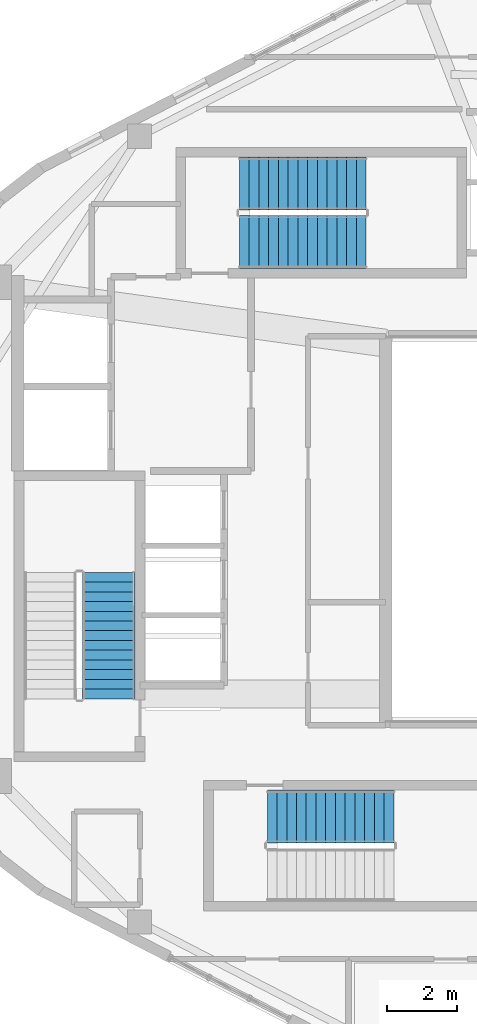
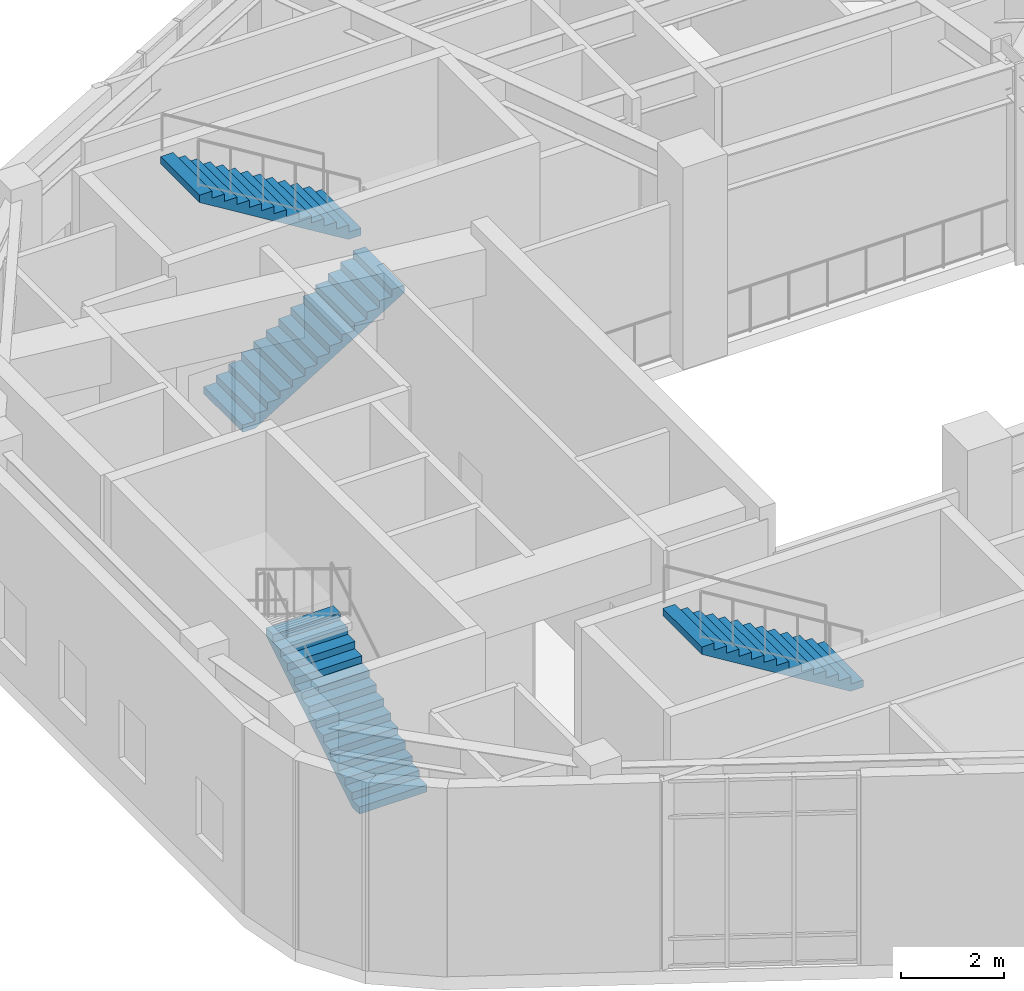
# One storey, part 17 of 18: 4 stair flights, 3 elements without a shape of their own.
"""IFC4 building model written with IfcOpenShell, lengths in metres."""

import ifcopenshell
import ifcopenshell.guid

model = None  # the IFC model being written
_history = None  # IfcOwnerHistory: only IFC2X3 demands one
_inside = {}  # id of a spatial element -> (the spatial element, [elements in it])
_under = {}  # id of a project, library or spatial element -> (it, [spatial elements below it])
_declared = {}  # id of a project -> (the project, [libraries it declares])
_typed = {}  # id of a type object -> (the type object, [elements of that type])
_made_of = {}  # id of a material, layer set ... -> (it, [elements and type objects made of it])


def new_model(schema):
    """Start an empty IFC model of exactly this schema.

    Asked for "IFC4X3", IfcOpenShell would pick the latest addendum, in which some entities
    have other attributes; the version numbers below select the first issue.
    IFC2X3 requires an IfcOwnerHistory on every rooted entity: one is made here for all.
    """
    global model, _history
    if schema == "IFC4X3":
        model = ifcopenshell.file(schema_version=(4, 3, 0, 0))
    else:
        model = ifcopenshell.file(schema=schema)
    _inside.clear()
    _under.clear()
    _declared.clear()
    _typed.clear()
    _made_of.clear()
    _history = None
    if model.schema == "IFC2X3":
        org = make("IfcOrganization", Name="unknown")
        user = make(
            "IfcPersonAndOrganization",
            ThePerson=make("IfcPerson", FamilyName="unknown"),
            TheOrganization=org,
        )
        app = make(
            "IfcApplication",
            ApplicationDeveloper=org,
            Version="unknown",
            ApplicationFullName="unknown",
            ApplicationIdentifier="unknown",
        )
        _history = make(
            "IfcOwnerHistory",
            OwningUser=user,
            OwningApplication=app,
            ChangeAction="ADDED",
            CreationDate=0,
        )
    return model


def make(cls, **values):
    """One entity of the class cls with the attributes given. An attribute that is None is left unset."""
    return model.create_entity(
        cls, **{name: value for name, value in values.items() if value is not None}
    )


def rooted(cls, **values):
    """An entity with a GlobalId (a new one), such as an element, a storey or a relation."""
    return make(cls, GlobalId=ifcopenshell.guid.new(), OwnerHistory=_history, **values)


def si_unit(unit_type, name, prefix=None):
    """IfcSIUnit, for example si_unit("LENGTHUNIT", "METRE", prefix="MILLI")."""
    return make("IfcSIUnit", UnitType=unit_type, Prefix=prefix, Name=name)


def assignment(units):
    """IfcUnitAssignment: the units of a project."""
    return None if units is None else make("IfcUnitAssignment", Units=units)


def point(xyz):
    """IfcCartesianPoint."""
    return None if xyz is None else make("IfcCartesianPoint", Coordinates=xyz)


def direction(xyz):
    """IfcDirection."""
    return None if xyz is None else make("IfcDirection", DirectionRatios=xyz)


def frame(location, z_axis=None, x_axis=None):
    """IfcAxis2Placement3D, a coordinate frame: its origin and axes. An axis left out is left unset."""
    return make(
        "IfcAxis2Placement3D",
        Location=point(location),
        Axis=direction(z_axis),
        RefDirection=direction(x_axis),
    )


def origin():
    """The frame at (0, 0, 0) with its axes left unset."""
    return frame((0.0, 0.0, 0.0))


def place(relative_to, where):
    """IfcLocalPlacement: puts the frame where relative to a parent placement (None: the world)."""
    return make(
        "IfcLocalPlacement", PlacementRelTo=relative_to, RelativePlacement=where
    )


def context(
    kind, dimensions, precision=None, world=None, true_north=None, identifier=None
):
    """IfcGeometricRepresentationContext, for example the 3D "Model" context."""
    return make(
        "IfcGeometricRepresentationContext",
        ContextIdentifier=identifier,
        ContextType=kind,
        CoordinateSpaceDimension=dimensions,
        Precision=precision,
        WorldCoordinateSystem=world,
        TrueNorth=true_north,
    )


def subcontext(parent, identifier, kind, view, scale=None):
    """IfcGeometricRepresentationSubContext, for example "Body" below "Model"."""
    return make(
        "IfcGeometricRepresentationSubContext",
        ContextIdentifier=identifier,
        ContextType=kind,
        ParentContext=parent,
        TargetScale=scale,
        TargetView=view,
    )


def project(units=None, contexts=None):
    """IfcProject with its units and contexts."""
    return rooted(
        "IfcProject",
        Name="project",
        RepresentationContexts=contexts,
        UnitsInContext=assignment(units),
    )


def spatial(cls, under=None, at=None, **own):
    """A site, building, storey or space (cls), placed at a placement, below another one or the project."""
    s = rooted(cls, ObjectPlacement=at, **own)
    if under is not None:
        _under.setdefault(under.id(), (under, []))[1].append(s)
    return s


def polyline(points):
    """IfcPolyline through the points."""
    return make("IfcPolyline", Points=[point(p) for p in points])


def outline(outer, holes=None, kind="AREA"):
    """IfcArbitraryClosedProfileDef: a profile drawn as a closed curve; with holes, ...WithVoids."""
    if holes is None:
        return make("IfcArbitraryClosedProfileDef", ProfileType=kind, OuterCurve=outer)
    return make(
        "IfcArbitraryProfileDefWithVoids",
        ProfileType=kind,
        OuterCurve=outer,
        InnerCurves=holes,
    )


def extrude(swept, where, along, depth):
    """IfcExtrudedAreaSolid: the profile swept, set in the frame where, extruded along a direction by depth."""
    return make(
        "IfcExtrudedAreaSolid",
        SweptArea=swept,
        Position=where,
        ExtrudedDirection=direction(along),
        Depth=depth,
    )


def shape(context_of_items, identifier, shape_type, items):
    """IfcShapeRepresentation: the items that make up one representation, for example the "Body"."""
    return make(
        "IfcShapeRepresentation",
        ContextOfItems=context_of_items,
        RepresentationIdentifier=identifier,
        RepresentationType=shape_type,
        Items=items,
    )


def material(Name=None, Category=None):
    """IfcMaterial."""
    return make("IfcMaterial", Name=Name, Category=Category)


def made_of(thing, what):
    """Note that an element or type object is made of a material, layer set ...; save() writes the relation."""
    if what is not None:
        _made_of.setdefault(what.id(), (what, []))[1].append(thing)
    return thing


def type_object(cls, material=None, **own):
    """A type object (cls), such as IfcWallType, which elements share."""
    return made_of(rooted(cls, **own), material)


def element(
    cls,
    number,
    at=None,
    inside=None,
    cuts=None,
    type_object=None,
    material=None,
    context=None,
    identifier="Body",
    shape_type=None,
    held_by="IfcProductDefinitionShape",
    body=None,
    shapes=None,
    **own,
):
    """One element of the class cls, such as IfcWall. Its Tag is "e" and its number.

    at: its placement. inside: the storey or other place that contains it. cuts: it is an
    opening in that element (IfcRelVoidsElement). A single representation is given by context,
    identifier, shape_type and body (its items); several are given by shapes. held_by: the class
    of the entity that holds the representations. save() writes the other relations.
    """
    e = rooted(cls, Tag="e%d" % number, ObjectPlacement=at, **own)
    if body is not None:
        shapes = [shape(context, identifier, shape_type, body)]
    if shapes is not None:
        e.Representation = make(held_by, Representations=shapes)
    if inside is not None:
        _inside.setdefault(inside.id(), (inside, []))[1].append(e)
    if cuts is not None:
        rooted(
            "IfcRelVoidsElement", RelatingBuildingElement=cuts, RelatedOpeningElement=e
        )
    if type_object is not None:
        _typed.setdefault(type_object.id(), (type_object, []))[1].append(e)
    return made_of(e, material)


def aggregate(whole, parts):
    """IfcRelAggregates: a whole, such as a stair, and the parts it consists of."""
    return rooted("IfcRelAggregates", RelatingObject=whole, RelatedObjects=parts)


def save(model, path):
    """Write the relations noted so far, then the file.

    IfcRelAggregates (storeys below a building ...), IfcRelContainedInSpatialStructure (elements
    in a storey), IfcRelDefinesByType, IfcRelAssociatesMaterial and IfcRelDeclares: one each for
    every whole, place, type object, material and project.
    """
    for whole, parts in _under.values():
        aggregate(whole, parts)
    for where, things in _inside.values():
        rooted(
            "IfcRelContainedInSpatialStructure",
            RelatedElements=things,
            RelatingStructure=where,
        )
    for kind, things in _typed.values():
        rooted("IfcRelDefinesByType", RelatedObjects=things, RelatingType=kind)
    for what, things in _made_of.values():
        rooted("IfcRelAssociatesMaterial", RelatedObjects=things, RelatingMaterial=what)
    for by, libraries in _declared.values():
        rooted("IfcRelDeclares", RelatingContext=by, RelatedDefinitions=libraries)
    model.write(path)


model = new_model("IFC4")

# Units and contexts
model_context = context("Model", 3, precision=1e-05, world=origin(), true_north=direction((0.0, 1.0)))
body_context = subcontext(model_context, "Body", "Model", "MODEL_VIEW")
ifc_project = project(units=[si_unit("LENGTHUNIT", "METRE"), si_unit("AREAUNIT", "SQUARE_METRE"), si_unit("VOLUMEUNIT", "CUBIC_METRE"), si_unit("PLANEANGLEUNIT", "RADIAN"), si_unit("MASSUNIT", "GRAM", prefix="KILO"), si_unit("THERMODYNAMICTEMPERATUREUNIT", "KELVIN"), si_unit("POWERUNIT", "WATT")], contexts=[model_context])

# Site, building, storey
site_placement = place(None, origin())
site = spatial("IfcSite", under=ifc_project, at=site_placement, CompositionType="ELEMENT")
building_placement = place(site_placement, origin())
building = spatial("IfcBuilding", under=site, at=building_placement, Name="Skarre Station Tower", CompositionType="ELEMENT")
storey_placement = place(building_placement, frame((0.0, 0.0, 270.300048828125)))
storey = spatial("IfcBuildingStorey", under=building, at=storey_placement, Name="L74", CompositionType="ELEMENT", Elevation=270.300048828125)

# Stair, stair flight
ifc_material = material(Name="Concrete C40/50", Category="concrete")
stair_type_1 = type_object("IfcStairType", Name="Reinforced Concrete Exit Stair ST-1", PredefinedType="HALF_TURN_STAIR", material=ifc_material)
stair_1_placement = place(storey_placement, origin())
stair_1 = element("IfcStair", 1, at=stair_1_placement, inside=storey, type_object=stair_type_1, Name="L74 Core Exit Stair ST-1", PredefinedType="HALF_TURN_STAIR")
stair_flight_type_1 = type_object("IfcStairFlightType", Name="Reinforced Concrete Stair Flight ST-1", PredefinedType="STRAIGHT", material=ifc_material)
stair_flight_1_placement = place(storey_placement, frame((19.590087890625, 19.1201171875, 0.0), z_axis=(0.0, 0.0, 1.0), x_axis=(0.0, 1.0, 0.0)))
stair_flight_1 = element("IfcStairFlight", 2, at=stair_flight_1_placement, type_object=stair_flight_type_1, Name="ST-1 flight 1", NumberOfRisers=14, NumberOfTreads=13, PredefinedType="STRAIGHT", RiserHeight=0.171428571, TreadLength=0.28, context=body_context, shape_type="SweptSolid", body=[
    extrude(outline(polyline([(0.0, 0.0), (0.0, 0.17138671875), (0.280029296875, 0.17138671875), (0.280029296875, 0.3427734375), (0.56005859375, 0.3427734375), (0.56005859375, 0.514404296875), (0.840087890625, 0.514404296875), (0.840087890625, 0.685791015625), (1.1201171875, 0.685791015625), (1.1201171875, 0.857177734375), (1.39990234375, 0.857177734375), (1.39990234375, 1.028564453125), (1.679931640625, 1.028564453125), (1.679931640625, 1.199951171875), (1.9599609375, 1.199951171875), (1.9599609375, 1.371337890625), (2.239990234375, 1.371337890625), (2.239990234375, 1.54296875), (2.52001953125, 1.54296875), (2.52001953125, 1.71435546875), (2.800048828125, 1.71435546875), (2.800048828125, 1.8857421875), (3.080078125, 1.8857421875), (3.080078125, 2.05712890625), (3.360107421875, 2.05712890625), (3.360107421875, 2.228515625), (3.639892578125, 2.228515625), (3.639892578125, 2.39990234375), (3.639892578125, 2.052734375), (0.287109375, 0.0), (0.0, 0.0)])), frame((0.0, 0.760009765625, 0.0), z_axis=(0.0, -1.0, 0.0), x_axis=(1.0, 0.0, 0.0)), (0.0, 0.0, 1.0), 1.52001953125),
])
aggregate(stair_1, [stair_flight_1])

stair_type_2 = type_object("IfcStairType", Name="Reinforced Concrete Exit Stair ST-2", PredefinedType="HALF_TURN_STAIR", material=ifc_material)
stair_2_placement = place(storey_placement, origin())
stair_2 = element("IfcStair", 3, at=stair_2_placement, inside=storey, type_object=stair_type_2, Name="L74 Core Exit Stair ST-2", PredefinedType="HALF_TURN_STAIR")
stair_flight_type_2 = type_object("IfcStairFlightType", Name="Reinforced Concrete Stair Flight ST-2", PredefinedType="STRAIGHT", material=ifc_material)
stair_flight_2_placement = place(storey_placement, frame((27.7900390625, 15.739990234375, 2.39990234375), z_axis=(0.0, 0.0, 1.0), x_axis=(-1.0, 0.0, 0.0)))
stair_flight_2 = element("IfcStairFlight", 4, at=stair_flight_2_placement, type_object=stair_flight_type_2, Name="ST-2 flight 2", NumberOfRisers=14, NumberOfTreads=13, PredefinedType="STRAIGHT", RiserHeight=0.171428571, TreadLength=0.28, context=body_context, shape_type="SweptSolid", body=[
    extrude(outline(polyline([(0.0, 0.0), (0.0, 0.17138671875), (0.280029296875, 0.17138671875), (0.280029296875, 0.3427734375), (0.56005859375, 0.3427734375), (0.56005859375, 0.514404296875), (0.840087890625, 0.514404296875), (0.840087890625, 0.685791015625), (1.1201171875, 0.685791015625), (1.1201171875, 0.857177734375), (1.39990234375, 0.857177734375), (1.39990234375, 1.028564453125), (1.679931640625, 1.028564453125), (1.679931640625, 1.199951171875), (1.9599609375, 1.199951171875), (1.9599609375, 1.371337890625), (2.239990234375, 1.371337890625), (2.239990234375, 1.54296875), (2.52001953125, 1.54296875), (2.52001953125, 1.71435546875), (2.800048828125, 1.71435546875), (2.800048828125, 1.8857421875), (3.080078125, 1.8857421875), (3.080078125, 2.05712890625), (3.360107421875, 2.05712890625), (3.360107421875, 2.228515625), (3.639892578125, 2.228515625), (3.639892578125, 2.39990234375), (3.639892578125, 2.052734375), (0.287109375, 0.0), (0.0, 0.0)])), frame((0.0, 0.760009765625, 0.0), z_axis=(0.0, -1.0, 0.0), x_axis=(1.0, 0.0, 0.0)), (0.0, 0.0, 1.0), 1.52001953125),
])
aggregate(stair_2, [stair_flight_2])

# Stair, stair flights
stair_type_3 = type_object("IfcStairType", Name="Reinforced Concrete Exit Stair ST-3", PredefinedType="HALF_TURN_STAIR", material=ifc_material)
stair_3_placement = place(storey_placement, origin())
stair_3 = element("IfcStair", 5, at=stair_3_placement, inside=storey, type_object=stair_type_3, Name="L74 Core Exit Stair ST-3", PredefinedType="HALF_TURN_STAIR")
stair_flight_type_3 = type_object("IfcStairFlightType", Name="Reinforced Concrete Stair Flight ST-3", PredefinedType="STRAIGHT", material=ifc_material)
stair_flight_3_placement = place(storey_placement, frame((23.35009765625, 32.260009765625, 0.0), z_axis=(0.0, 0.0, 1.0), x_axis=(1.0, 0.0, 0.0)))
stair_flight_3 = element("IfcStairFlight", 6, at=stair_flight_3_placement, type_object=stair_flight_type_3, Name="ST-3 flight 1", NumberOfRisers=14, NumberOfTreads=13, PredefinedType="STRAIGHT", RiserHeight=0.171428571, TreadLength=0.28, context=body_context, shape_type="SweptSolid", body=[
    extrude(outline(polyline([(0.0, 0.0), (0.0, 0.17138671875), (0.280029296875, 0.17138671875), (0.280029296875, 0.3427734375), (0.56005859375, 0.3427734375), (0.56005859375, 0.514404296875), (0.840087890625, 0.514404296875), (0.840087890625, 0.685791015625), (1.1201171875, 0.685791015625), (1.1201171875, 0.857177734375), (1.39990234375, 0.857177734375), (1.39990234375, 1.028564453125), (1.679931640625, 1.028564453125), (1.679931640625, 1.199951171875), (1.9599609375, 1.199951171875), (1.9599609375, 1.371337890625), (2.239990234375, 1.371337890625), (2.239990234375, 1.54296875), (2.52001953125, 1.54296875), (2.52001953125, 1.71435546875), (2.800048828125, 1.71435546875), (2.800048828125, 1.8857421875), (3.080078125, 1.8857421875), (3.080078125, 2.05712890625), (3.360107421875, 2.05712890625), (3.360107421875, 2.228515625), (3.639892578125, 2.228515625), (3.639892578125, 2.39990234375), (3.639892578125, 2.052734375), (0.287109375, 0.0), (0.0, 0.0)])), frame((0.0, 0.760009765625, 0.0), z_axis=(0.0, -1.0, 0.0), x_axis=(1.0, 0.0, 0.0)), (0.0, 0.0, 1.0), 1.52001953125),
])
stair_flight_4_placement = place(storey_placement, frame((26.989990234375, 33.93994140625, 2.39990234375), z_axis=(0.0, 0.0, 1.0), x_axis=(-1.0, 0.0, 0.0)))
stair_flight_4 = element("IfcStairFlight", 7, at=stair_flight_4_placement, type_object=stair_flight_type_3, Name="ST-3 flight 2", NumberOfRisers=14, NumberOfTreads=13, PredefinedType="STRAIGHT", RiserHeight=0.171428571, TreadLength=0.28, context=body_context, shape_type="SweptSolid", body=[
    extrude(outline(polyline([(0.0, 0.0), (0.0, 0.17138671875), (0.280029296875, 0.17138671875), (0.280029296875, 0.3427734375), (0.56005859375, 0.3427734375), (0.56005859375, 0.514404296875), (0.840087890625, 0.514404296875), (0.840087890625, 0.685791015625), (1.1201171875, 0.685791015625), (1.1201171875, 0.857177734375), (1.39990234375, 0.857177734375), (1.39990234375, 1.028564453125), (1.679931640625, 1.028564453125), (1.679931640625, 1.199951171875), (1.9599609375, 1.199951171875), (1.9599609375, 1.371337890625), (2.239990234375, 1.371337890625), (2.239990234375, 1.54296875), (2.52001953125, 1.54296875), (2.52001953125, 1.71435546875), (2.800048828125, 1.71435546875), (2.800048828125, 1.8857421875), (3.080078125, 1.8857421875), (3.080078125, 2.05712890625), (3.360107421875, 2.05712890625), (3.360107421875, 2.228515625), (3.639892578125, 2.228515625), (3.639892578125, 2.39990234375), (3.639892578125, 2.052734375), (0.287109375, 0.0), (0.0, 0.0)])), frame((0.0, 0.760009765625, 0.0), z_axis=(0.0, -1.0, 0.0), x_axis=(1.0, 0.0, 0.0)), (0.0, 0.0, 1.0), 1.52001953125),
])
aggregate(stair_3, [stair_flight_3, stair_flight_4])

save(model, "model.ifc")
